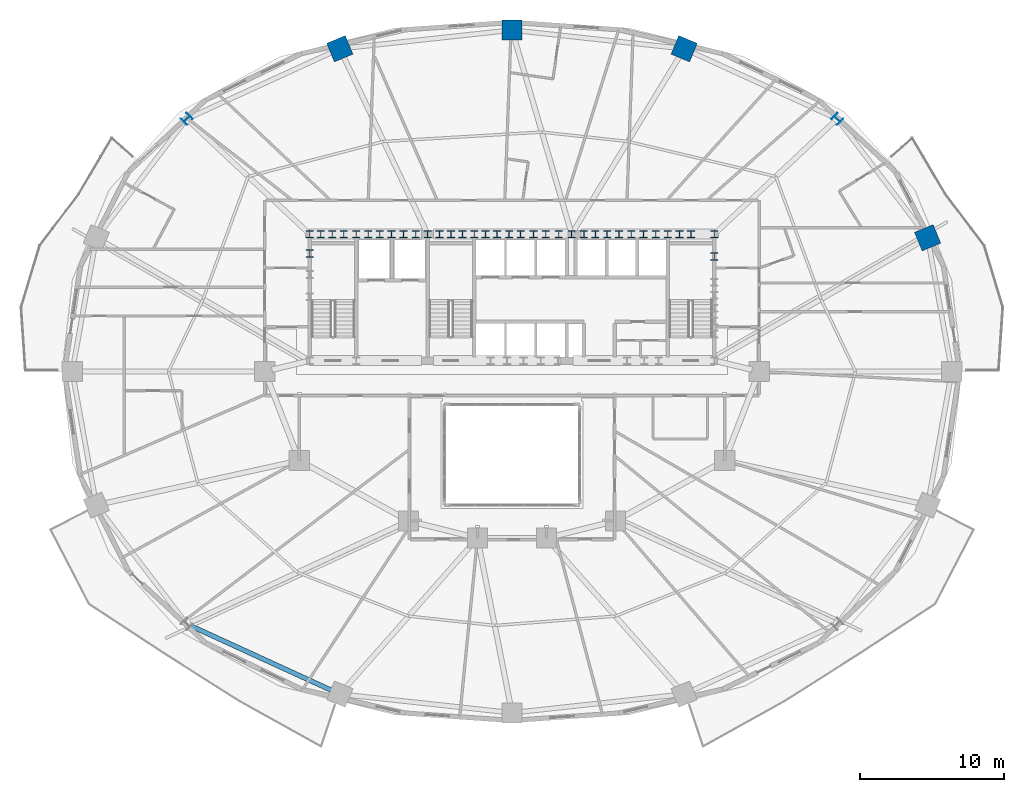
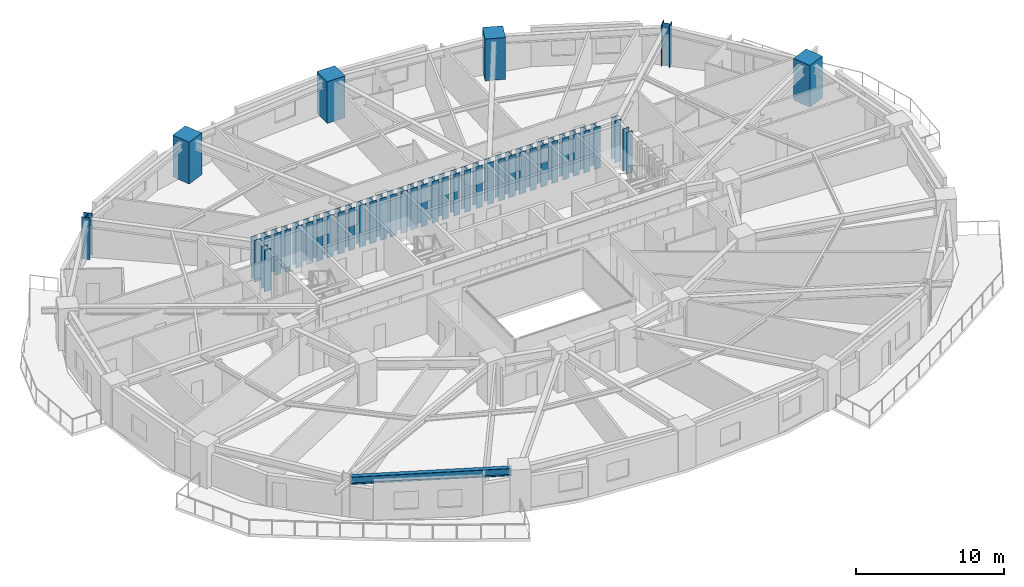
# One storey, part 2 of 18: 42 columns, 1 beam.
"""IFC4 building model written with IfcOpenShell, lengths in metres."""

import ifcopenshell
import ifcopenshell.guid

model = None  # the IFC model being written
_history = None  # IfcOwnerHistory: only IFC2X3 demands one
_inside = {}  # id of a spatial element -> (the spatial element, [elements in it])
_under = {}  # id of a project, library or spatial element -> (it, [spatial elements below it])
_declared = {}  # id of a project -> (the project, [libraries it declares])
_typed = {}  # id of a type object -> (the type object, [elements of that type])
_made_of = {}  # id of a material, layer set ... -> (it, [elements and type objects made of it])


def new_model(schema):
    """Start an empty IFC model of exactly this schema.

    Asked for "IFC4X3", IfcOpenShell would pick the latest addendum, in which some entities
    have other attributes; the version numbers below select the first issue.
    IFC2X3 requires an IfcOwnerHistory on every rooted entity: one is made here for all.
    """
    global model, _history
    if schema == "IFC4X3":
        model = ifcopenshell.file(schema_version=(4, 3, 0, 0))
    else:
        model = ifcopenshell.file(schema=schema)
    _inside.clear()
    _under.clear()
    _declared.clear()
    _typed.clear()
    _made_of.clear()
    _history = None
    if model.schema == "IFC2X3":
        org = make("IfcOrganization", Name="unknown")
        user = make(
            "IfcPersonAndOrganization",
            ThePerson=make("IfcPerson", FamilyName="unknown"),
            TheOrganization=org,
        )
        app = make(
            "IfcApplication",
            ApplicationDeveloper=org,
            Version="unknown",
            ApplicationFullName="unknown",
            ApplicationIdentifier="unknown",
        )
        _history = make(
            "IfcOwnerHistory",
            OwningUser=user,
            OwningApplication=app,
            ChangeAction="ADDED",
            CreationDate=0,
        )
    return model


def make(cls, **values):
    """One entity of the class cls with the attributes given. An attribute that is None is left unset."""
    return model.create_entity(
        cls, **{name: value for name, value in values.items() if value is not None}
    )


def rooted(cls, **values):
    """An entity with a GlobalId (a new one), such as an element, a storey or a relation."""
    return make(cls, GlobalId=ifcopenshell.guid.new(), OwnerHistory=_history, **values)


def si_unit(unit_type, name, prefix=None):
    """IfcSIUnit, for example si_unit("LENGTHUNIT", "METRE", prefix="MILLI")."""
    return make("IfcSIUnit", UnitType=unit_type, Prefix=prefix, Name=name)


def assignment(units):
    """IfcUnitAssignment: the units of a project."""
    return None if units is None else make("IfcUnitAssignment", Units=units)


def point(xyz):
    """IfcCartesianPoint."""
    return None if xyz is None else make("IfcCartesianPoint", Coordinates=xyz)


def direction(xyz):
    """IfcDirection."""
    return None if xyz is None else make("IfcDirection", DirectionRatios=xyz)


def frame(location, z_axis=None, x_axis=None):
    """IfcAxis2Placement3D, a coordinate frame: its origin and axes. An axis left out is left unset."""
    return make(
        "IfcAxis2Placement3D",
        Location=point(location),
        Axis=direction(z_axis),
        RefDirection=direction(x_axis),
    )


def frame_2d(location, x_axis=None):
    """IfcAxis2Placement2D, a coordinate frame in the plane: its origin and x axis."""
    return make(
        "IfcAxis2Placement2D", Location=point(location), RefDirection=direction(x_axis)
    )


def origin():
    """The frame at (0, 0, 0) with its axes left unset."""
    return frame((0.0, 0.0, 0.0))


def origin_2d():
    """The frame at (0, 0) in the plane with its x axis left unset."""
    return frame_2d((0.0, 0.0))


def place(relative_to, where):
    """IfcLocalPlacement: puts the frame where relative to a parent placement (None: the world)."""
    return make(
        "IfcLocalPlacement", PlacementRelTo=relative_to, RelativePlacement=where
    )


def context(
    kind, dimensions, precision=None, world=None, true_north=None, identifier=None
):
    """IfcGeometricRepresentationContext, for example the 3D "Model" context."""
    return make(
        "IfcGeometricRepresentationContext",
        ContextIdentifier=identifier,
        ContextType=kind,
        CoordinateSpaceDimension=dimensions,
        Precision=precision,
        WorldCoordinateSystem=world,
        TrueNorth=true_north,
    )


def subcontext(parent, identifier, kind, view, scale=None):
    """IfcGeometricRepresentationSubContext, for example "Body" below "Model"."""
    return make(
        "IfcGeometricRepresentationSubContext",
        ContextIdentifier=identifier,
        ContextType=kind,
        ParentContext=parent,
        TargetScale=scale,
        TargetView=view,
    )


def project(units=None, contexts=None):
    """IfcProject with its units and contexts."""
    return rooted(
        "IfcProject",
        Name="project",
        RepresentationContexts=contexts,
        UnitsInContext=assignment(units),
    )


def spatial(cls, under=None, at=None, **own):
    """A site, building, storey or space (cls), placed at a placement, below another one or the project."""
    s = rooted(cls, ObjectPlacement=at, **own)
    if under is not None:
        _under.setdefault(under.id(), (under, []))[1].append(s)
    return s


def profile(cls, at=None, kind="AREA", **sizes):
    """A parametric profile (cls). Its sizes go by their IFC names, for example OverallWidth=200.0."""
    return make(cls, ProfileType=kind, Position=at, **sizes)


def rectangle(**sizes):
    """IfcRectangleProfileDef."""
    return profile("IfcRectangleProfileDef", **sizes)


def i_section(**sizes):
    """IfcIShapeProfileDef."""
    return profile("IfcIShapeProfileDef", **sizes)


def extrude(swept, where, along, depth):
    """IfcExtrudedAreaSolid: the profile swept, set in the frame where, extruded along a direction by depth."""
    return make(
        "IfcExtrudedAreaSolid",
        SweptArea=swept,
        Position=where,
        ExtrudedDirection=direction(along),
        Depth=depth,
    )


def shape(context_of_items, identifier, shape_type, items):
    """IfcShapeRepresentation: the items that make up one representation, for example the "Body"."""
    return make(
        "IfcShapeRepresentation",
        ContextOfItems=context_of_items,
        RepresentationIdentifier=identifier,
        RepresentationType=shape_type,
        Items=items,
    )


def material(Name=None, Category=None):
    """IfcMaterial."""
    return make("IfcMaterial", Name=Name, Category=Category)


def material_profile(
    of_material, cross_section, Name=None, Category=None, Priority=None
):
    """IfcMaterialProfile: a cross section and its material."""
    return make(
        "IfcMaterialProfile",
        Name=Name,
        Material=of_material,
        Profile=cross_section,
        Priority=Priority,
        Category=Category,
    )


def profile_set(profiles, Name=None, composite=None):
    """IfcMaterialProfileSet."""
    return make(
        "IfcMaterialProfileSet",
        Name=Name,
        MaterialProfiles=profiles,
        CompositeProfile=composite,
    )


def made_of(thing, what):
    """Note that an element or type object is made of a material, layer set ...; save() writes the relation."""
    if what is not None:
        _made_of.setdefault(what.id(), (what, []))[1].append(thing)
    return thing


def type_object(cls, material=None, **own):
    """A type object (cls), such as IfcWallType, which elements share."""
    return made_of(rooted(cls, **own), material)


def element(
    cls,
    number,
    at=None,
    inside=None,
    cuts=None,
    type_object=None,
    material=None,
    context=None,
    identifier="Body",
    shape_type=None,
    held_by="IfcProductDefinitionShape",
    body=None,
    shapes=None,
    **own,
):
    """One element of the class cls, such as IfcWall. Its Tag is "e" and its number.

    at: its placement. inside: the storey or other place that contains it. cuts: it is an
    opening in that element (IfcRelVoidsElement). A single representation is given by context,
    identifier, shape_type and body (its items); several are given by shapes. held_by: the class
    of the entity that holds the representations. save() writes the other relations.
    """
    e = rooted(cls, Tag="e%d" % number, ObjectPlacement=at, **own)
    if body is not None:
        shapes = [shape(context, identifier, shape_type, body)]
    if shapes is not None:
        e.Representation = make(held_by, Representations=shapes)
    if inside is not None:
        _inside.setdefault(inside.id(), (inside, []))[1].append(e)
    if cuts is not None:
        rooted(
            "IfcRelVoidsElement", RelatingBuildingElement=cuts, RelatedOpeningElement=e
        )
    if type_object is not None:
        _typed.setdefault(type_object.id(), (type_object, []))[1].append(e)
    return made_of(e, material)


def aggregate(whole, parts):
    """IfcRelAggregates: a whole, such as a stair, and the parts it consists of."""
    return rooted("IfcRelAggregates", RelatingObject=whole, RelatedObjects=parts)


def save(model, path):
    """Write the relations noted so far, then the file.

    IfcRelAggregates (storeys below a building ...), IfcRelContainedInSpatialStructure (elements
    in a storey), IfcRelDefinesByType, IfcRelAssociatesMaterial and IfcRelDeclares: one each for
    every whole, place, type object, material and project.
    """
    for whole, parts in _under.values():
        aggregate(whole, parts)
    for where, things in _inside.values():
        rooted(
            "IfcRelContainedInSpatialStructure",
            RelatedElements=things,
            RelatingStructure=where,
        )
    for kind, things in _typed.values():
        rooted("IfcRelDefinesByType", RelatedObjects=things, RelatingType=kind)
    for what, things in _made_of.values():
        rooted("IfcRelAssociatesMaterial", RelatedObjects=things, RelatingMaterial=what)
    for by, libraries in _declared.values():
        rooted("IfcRelDeclares", RelatingContext=by, RelatedDefinitions=libraries)
    model.write(path)


model = new_model("IFC4")

# Units and contexts
model_context = context("Model", 3, precision=1e-05, world=origin(), true_north=direction((0.0, 1.0)))
body_context = subcontext(model_context, "Body", "Model", "MODEL_VIEW")
ifc_project = project(units=[si_unit("LENGTHUNIT", "METRE"), si_unit("AREAUNIT", "SQUARE_METRE"), si_unit("VOLUMEUNIT", "CUBIC_METRE"), si_unit("PLANEANGLEUNIT", "RADIAN"), si_unit("MASSUNIT", "GRAM", prefix="KILO")], contexts=[model_context])

# Site, building, storey
site_placement = place(None, origin())
site = spatial("IfcSite", under=ifc_project, at=site_placement, CompositionType="ELEMENT")
building_placement = place(site_placement, origin())
building = spatial("IfcBuilding", under=site, at=building_placement, Name="Haldorwick Loom Tower", CompositionType="ELEMENT")
storey_placement = place(building_placement, frame((0.0, 0.0, 41.25)))
storey = spatial("IfcBuildingStorey", under=building, at=storey_placement, Name="L10", CompositionType="ELEMENT", Elevation=41.25)

# Columns
ifc_material_1 = material(Name="Concrete C60 (60 MPa)", Category="concrete")
ifc_material_profile_1 = material_profile(ifc_material_1, rectangle(XDim=1.39990234375, YDim=1.39990234375, at=origin_2d()), Name="RC1400X1400", Category="concrete")
ifc_profile_set_1 = profile_set([ifc_material_profile_1], Name="Concrete C60 (60 MPa)")
column_type_1 = type_object("IfcColumnType", Name="STR-COL-RC1400", PredefinedType="PILASTER", material=ifc_profile_set_1)
for number, where, z_axis, x_axis, name in (
    (1, (64.91748046875, 35.29931640625, 0.0), (0.0, 0.0, 1.0), (0.923879532511, 0.382683432365, 0.0), "L10 Perimeter Pier Column P02"),
    (2, (47.97802734375, 48.4501953125, 0.0), (0.0, 0.0, 1.0), (0.382683432365, 0.923879532511, 0.0), "L10 Perimeter Pier Column P04"),
    (3, (36.0, 49.75, 0.0), (0.0, 0.0, 1.0), (0.0, 1.0, 0.0), "L10 Perimeter Pier Column P05"),
    (4, (24.02197265625, 48.4501953125, 0.0), (0.0, 0.0, 1.0), (-0.382683432365, 0.923879532511, 0.0), "L10 Perimeter Pier Column P06"),
):
    element("IfcColumn", number, at=place(storey_placement, frame(where, z_axis=z_axis, x_axis=x_axis)), inside=storey, type_object=column_type_1, Name=name, PredefinedType="PILASTER", context=body_context, shape_type="SweptSolid", body=[
        extrude(rectangle(XDim=1.39990234375, YDim=1.39990234375, at=origin_2d()), origin(), (0.0, 0.0, 1.0), 3.449951171875),
    ])
ifc_material_2 = material(Name="Steel CSA G40.21 350WT", Category="steel")
ifc_material_profile_2 = material_profile(ifc_material_2, i_section(OverallWidth=0.5, OverallDepth=0.5, WebThickness=0.02197265625, FlangeThickness=0.031982421875, at=origin_2d()), Name="WWF500X500", Category="steel")
ifc_profile_set_2 = profile_set([ifc_material_profile_2], Name="Steel CSA G40.21 350WT")
column_type_2 = type_object("IfcColumnType", Name="STR-COL-WWF500", PredefinedType="COLUMN", material=ifc_profile_set_2)
for number, where, z_axis, x_axis, name in (
    (5, (21.929931640625, 35.550048828125, 0.0), (0.0, 0.0, 1.0), (1.0, 0.0, 0.0), "L10 Core Pilaster CB-01"),
    (6, (23.5, 35.550048828125, 0.0), (0.0, 0.0, 1.0), (1.0, 0.0, 0.0), "L10 Core Pilaster CB-02"),
    (7, (25.169921875, 35.550048828125, 0.0), (0.0, 0.0, 1.0), (1.0, 0.0, 0.0), "L10 Core Pilaster CB-03"),
    (8, (26.800048828125, 35.550048828125, 0.0), (0.0, 0.0, 1.0), (1.0, 0.0, 0.0), "L10 Core Pilaster CB-04"),
    (9, (28.449951171875, 35.550048828125, 0.0), (0.0, 0.0, 1.0), (1.0, 0.0, 0.0), "L10 Core Pilaster CB-05"),
    (10, (30.1298828125, 35.550048828125, 0.0), (0.0, 0.0, 1.0), (1.0, 0.0, 0.0), "L10 Core Pilaster CB-06"),
    (11, (31.75, 35.550048828125, 0.0), (0.0, 0.0, 1.0), (1.0, 0.0, 0.0), "L10 Core Pilaster CB-07"),
    (12, (33.3701171875, 35.550048828125, 0.0), (0.0, 0.0, 1.0), (1.0, 0.0, 0.0), "L10 Core Pilaster CB-08"),
    (13, (34.949951171875, 35.550048828125, 0.0), (0.0, 0.0, 1.0), (1.0, 0.0, 0.0), "L10 Core Pilaster CB-09"),
    (14, (36.60009765625, 35.550048828125, 0.0), (0.0, 0.0, 1.0), (1.0, 0.0, 0.0), "L10 Core Pilaster CB-10"),
    (15, (38.35009765625, 35.550048828125, 0.0), (0.0, 0.0, 1.0), (1.0, 0.0, 0.0), "L10 Core Pilaster CB-11"),
    (16, (40.14990234375, 35.550048828125, 0.0), (0.0, 0.0, 1.0), (1.0, 0.0, 0.0), "L10 Core Pilaster CB-12"),
    (17, (41.800048828125, 35.550048828125, 0.0), (0.0, 0.0, 1.0), (1.0, 0.0, 0.0), "L10 Core Pilaster CB-13"),
    (18, (43.449951171875, 35.550048828125, 0.0), (0.0, 0.0, 1.0), (1.0, 0.0, 0.0), "L10 Core Pilaster CB-14"),
    (19, (45.14990234375, 35.550048828125, 0.0), (0.0, 0.0, 1.0), (1.0, 0.0, 0.0), "L10 Core Pilaster CB-15"),
    (20, (46.830078125, 35.550048828125, 0.0), (0.0, 0.0, 1.0), (1.0, 0.0, 0.0), "L10 Core Pilaster CB-16"),
    (21, (48.449951171875, 35.550048828125, 0.0), (0.0, 0.0, 1.0), (1.0, 0.0, 0.0), "L10 Core Pilaster CB-17"),
    (22, (50.070068359375, 35.550048828125, 0.0), (0.0, 0.0, 1.0), (1.0, 0.0, 0.0), "L10 Core Pilaster CB-18"),
    (23, (21.929931640625, 34.199951171875, 0.0), (0.0, 0.0, 1.0), (1.0, 0.0, 0.0), "L10 Core Pilaster CB-28"),
    (24, (50.070068359375, 34.0, 0.0), (0.0, 0.0, 1.0), (1.0, 0.0, 0.0), "L10 Core Pilaster CB-32"),
    (25, (22.699951171875, 35.550048828125, 0.0), (0.0, 0.0, 1.0), (1.0, 0.0, 0.0), "L10 Core Pilaster CB-33"),
    (26, (27.6201171875, 35.550048828125, 0.0), (0.0, 0.0, 1.0), (1.0, 0.0, 0.0), "L10 Core Pilaster CB-34"),
    (27, (32.550048828125, 35.550048828125, 0.0), (0.0, 0.0, 1.0), (1.0, 0.0, 0.0), "L10 Core Pilaster CB-35"),
    (28, (37.5, 35.550048828125, 0.0), (0.0, 0.0, 1.0), (1.0, 0.0, 0.0), "L10 Core Pilaster CB-36"),
    (29, (42.6201171875, 35.550048828125, 0.0), (0.0, 0.0, 1.0), (1.0, 0.0, 0.0), "L10 Core Pilaster CB-37"),
    (30, (47.64990234375, 35.550048828125, 0.0), (0.0, 0.0, 1.0), (1.0, 0.0, 0.0), "L10 Core Pilaster CB-38"),
    (31, (24.300048828125, 35.550048828125, 0.0), (0.0, 0.0, 1.0), (1.0, 0.0, 0.0), "L10 Core Pilaster CB-39"),
    (32, (26.0, 35.550048828125, 0.0), (0.0, 0.0, 1.0), (1.0, 0.0, 0.0), "L10 Core Pilaster CB-40"),
    (33, (29.300048828125, 35.550048828125, 0.0), (0.0, 0.0, 1.0), (1.0, 0.0, 0.0), "L10 Core Pilaster CB-41"),
    (34, (30.949951171875, 35.550048828125, 0.0), (0.0, 0.0, 1.0), (1.0, 0.0, 0.0), "L10 Core Pilaster CB-42"),
    (35, (34.14990234375, 35.550048828125, 0.0), (0.0, 0.0, 1.0), (1.0, 0.0, 0.0), "L10 Core Pilaster CB-43"),
    (36, (35.800048828125, 35.550048828125, 0.0), (0.0, 0.0, 1.0), (1.0, 0.0, 0.0), "L10 Core Pilaster CB-44"),
    (37, (39.25, 35.550048828125, 0.0), (0.0, 0.0, 1.0), (1.0, 0.0, 0.0), "L10 Core Pilaster CB-45"),
    (38, (41.0, 35.550048828125, 0.0), (0.0, 0.0, 1.0), (1.0, 0.0, 0.0), "L10 Core Pilaster CB-46"),
    (39, (44.300048828125, 35.550048828125, 0.0), (0.0, 0.0, 1.0), (1.0, 0.0, 0.0), "L10 Core Pilaster CB-47"),
    (40, (46.0, 35.550048828125, 0.0), (0.0, 0.0, 1.0), (1.0, 0.0, 0.0), "L10 Core Pilaster CB-48"),
):
    element("IfcColumn", number, at=place(storey_placement, frame(where, z_axis=z_axis, x_axis=x_axis)), inside=storey, type_object=column_type_2, Name=name, PredefinedType="COLUMN", context=body_context, shape_type="SweptSolid", body=[
        extrude(i_section(OverallWidth=0.5, OverallDepth=0.5, WebThickness=0.02197265625, FlangeThickness=0.031982421875, at=origin_2d()), origin(), (0.0, 0.0, 1.0), 3.449951171875),
    ])
ifc_material_profile_3 = material_profile(ifc_material_2, i_section(OverallWidth=0.60009765625, OverallDepth=0.60009765625, WebThickness=0.02490234375, FlangeThickness=0.035888671875, at=origin_2d()), Name="WWF600X600", Category="steel")
ifc_profile_set_3 = profile_set([ifc_material_profile_3], Name="Steel CSA G40.21 350WT")
column_type_3 = type_object("IfcColumnType", Name="STR-COL-WWF600", PredefinedType="COLUMN", material=ifc_profile_set_3)
for number, where, z_axis, x_axis, name in (
    (41, (58.630126953125, 43.571533203125, 0.0), (0.0, 0.0, 1.0), (0.707106781187, 0.707106781187, 0.0), "L10 Perimeter Pier Column P03"),
    (42, (13.369873046875, 43.571533203125, 0.0), (0.0, 0.0, 1.0), (-0.707106781187, 0.707106781187, 0.0), "L10 Perimeter Pier Column P07"),
):
    element("IfcColumn", number, at=place(storey_placement, frame(where, z_axis=z_axis, x_axis=x_axis)), inside=storey, type_object=column_type_3, Name=name, PredefinedType="COLUMN", context=body_context, shape_type="SweptSolid", body=[
        extrude(i_section(OverallWidth=0.60009765625, OverallDepth=0.60009765625, WebThickness=0.02490234375, FlangeThickness=0.035888671875, at=origin_2d()), origin(), (0.0, 0.0, 1.0), 3.449951171875),
    ])

# Beam
ifc_material_3 = material(Name="Steel CSA G40.21 350W", Category="steel")
ifc_material_profile_4 = material_profile(ifc_material_3, i_section(OverallWidth=0.324951171875, OverallDepth=0.615966796875, WebThickness=0.013916015625, FlangeThickness=0.021484375, at=origin_2d()), Name="W610X174", Category="steel")
ifc_profile_set_4 = profile_set([ifc_material_profile_4], Name="Steel CSA G40.21 350W")
beam_type = type_object("IfcBeamType", Name="STR-BM-SP610", PredefinedType="SPANDREL", material=ifc_profile_set_4)
beam_placement = place(storey_placement, frame((13.619873046875, 8.31396484375, 2.902099609375), z_axis=(0.909173805321, -0.416416848504, 0.0), x_axis=(0.416416848504, 0.909173805321, 0.0)))
element("IfcBeam", 43, at=beam_placement, inside=storey, type_object=beam_type, Name="L10 Perimeter Spandrel 11", PredefinedType="SPANDREL", context=body_context, shape_type="SweptSolid", body=[
    extrude(i_section(OverallWidth=0.324951171875, OverallDepth=0.615966796875, WebThickness=0.013916015625, FlangeThickness=0.021484375, at=origin_2d()), origin(), (0.0, 0.0, 1.0), 10.92138671875),
])

save(model, "model.ifc")
